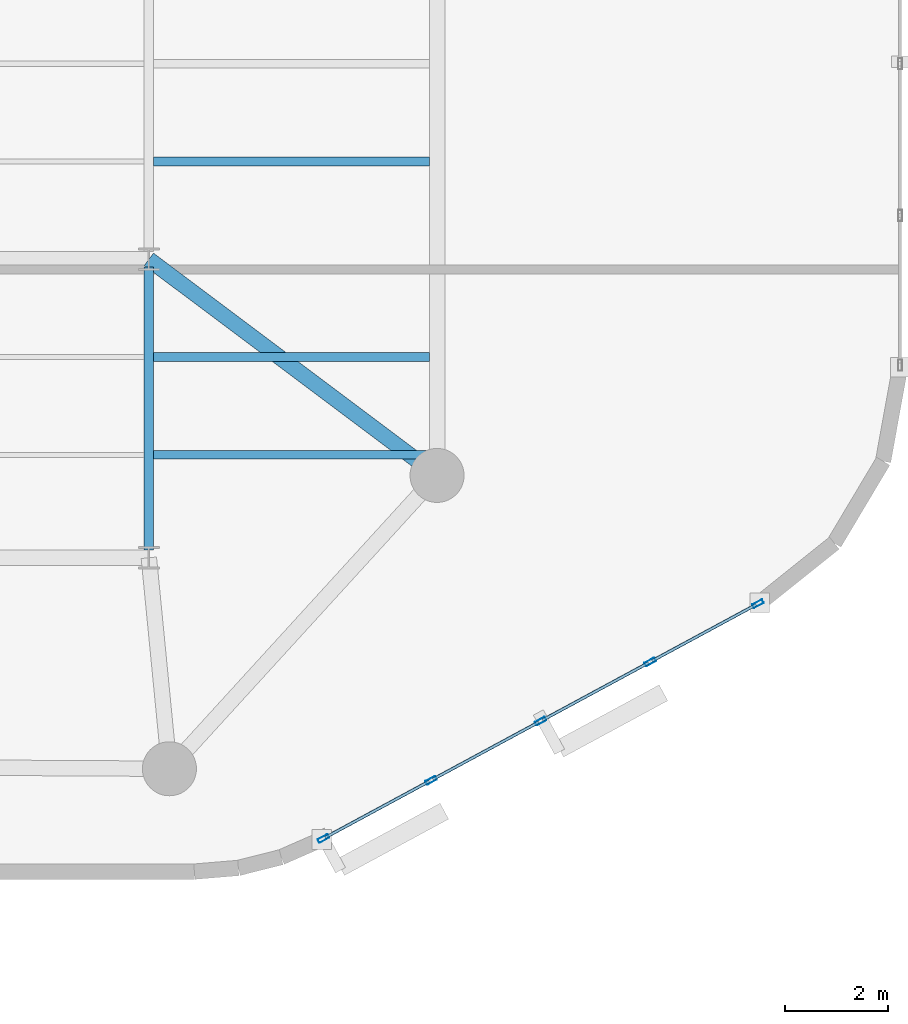
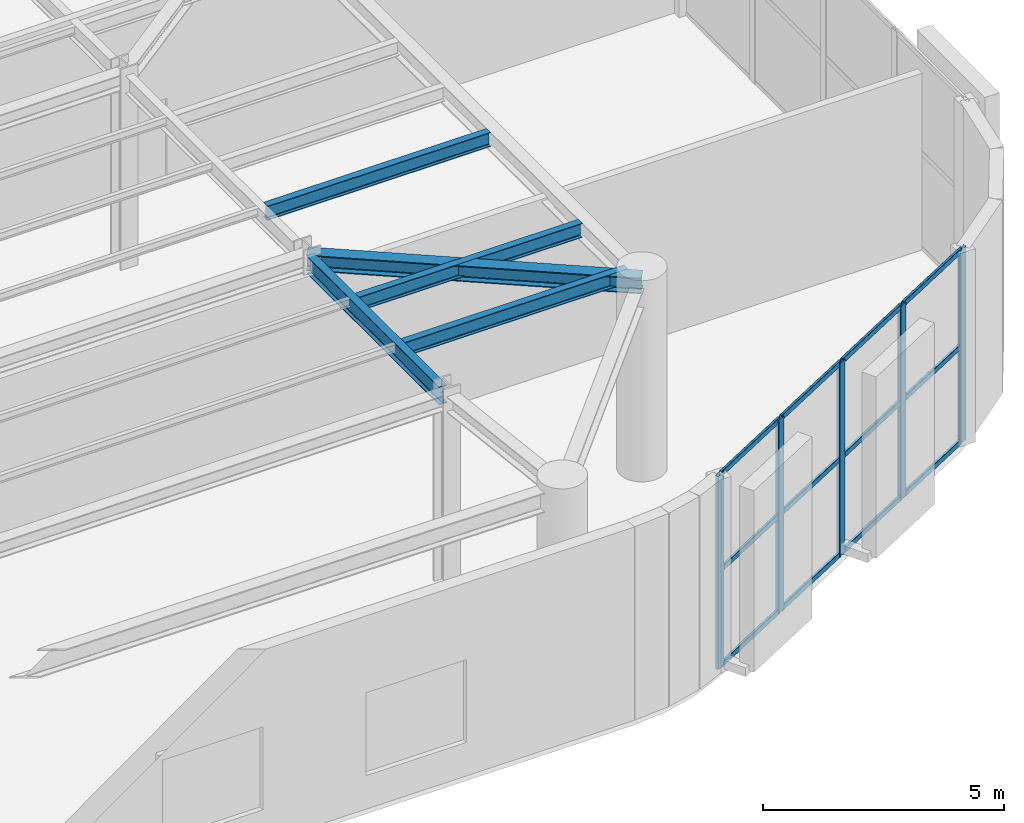
# One storey, part 2 of 11: 17 members, 5 beams, 1 element without a shape of its own.
"""IFC4 building model written with IfcOpenShell, lengths in metres."""

from ifc_helpers import new_model, si_unit, direction, frame, origin, origin_2d, place, context, subcontext, project, spatial, hollow_rectangle, i_section, extrude, material, layer, layer_set, material_profile, profile_set, type_object, element, aggregate, save


model = new_model("IFC4")

# Units and contexts
model_context = context("Model", 3, precision=1e-05, world=origin(), true_north=direction((0.0, 1.0)))
body_context = subcontext(model_context, "Body", "Model", "MODEL_VIEW")
ifc_project = project(units=[si_unit("LENGTHUNIT", "METRE"), si_unit("AREAUNIT", "SQUARE_METRE"), si_unit("VOLUMEUNIT", "CUBIC_METRE"), si_unit("PLANEANGLEUNIT", "RADIAN"), si_unit("MASSUNIT", "GRAM", prefix="KILO")], contexts=[model_context])

# Site, building, storey
site_placement = place(None, origin())
site = spatial("IfcSite", under=ifc_project, at=site_placement, CompositionType="ELEMENT")
building_placement = place(site_placement, origin())
building = spatial("IfcBuilding", under=site, at=building_placement, Name="An Khanh Terracotta Commons", CompositionType="ELEMENT")
storey_placement = place(building_placement, frame((0.0, 0.0, 196.199951171875)))
storey = spatial("IfcBuildingStorey", under=building, at=storey_placement, Name="L51", CompositionType="ELEMENT", Elevation=196.199951171875)

# Beams
ifc_material_1 = material(Name="Steel S355J2", Category="steel")
ifc_material_profile_1 = material_profile(ifc_material_1, i_section(OverallWidth=0.300048828125, OverallDepth=0.39990234375, WebThickness=0.013427734375, FlangeThickness=0.02392578125, FilletRadius=0.027099609375, at=origin_2d()), Name="HEB400")
ifc_profile_set_1 = profile_set([ifc_material_profile_1], Name="Steel S355J2")
beam_type_1 = type_object("IfcBeamType", Name="BM-HEB400", PredefinedType="BEAM", material=ifc_profile_set_1)
beam_1_placement = place(storey_placement, frame((59.60009765625, 16.0, 4.699951171875), z_axis=(-0.800008370399, 0.599988839305, 0.0), x_axis=(-0.599988839305, -0.800008370399, 0.0)))
element("IfcBeam", 1, at=beam_1_placement, inside=storey, type_object=beam_type_1, Name="L51 Mega-Column Tie Girder 3", PredefinedType="BEAM", context=body_context, shape_type="SweptSolid", body=[
    extrude(i_section(OverallWidth=0.300048828125, OverallDepth=0.39990234375, WebThickness=0.013427734375, FlangeThickness=0.02392578125, FilletRadius=0.027099609375, at=origin_2d()), origin(), (0.0, 0.0, 1.0), 7.0),
])
ifc_material_profile_2 = material_profile(ifc_material_1, i_section(OverallWidth=0.169921875, OverallDepth=0.360107421875, WebThickness=0.008056640625, FlangeThickness=0.0126953125, FilletRadius=0.01806640625, at=origin_2d()), Name="IPE360")
ifc_profile_set_2 = profile_set([ifc_material_profile_2], Name="Steel S355J2")
beam_type_2 = type_object("IfcBeamType", Name="BM-IPE360", PredefinedType="JOIST", material=ifc_profile_set_2)
for number, where, z_axis, x_axis, name in (
    (2, (54.094970703125, 16.39990234375, 4.719970703125), (1.0, 0.0, 0.0), (0.0, 1.0, 0.0), "L51 Riverfront Composite Joist 1"),
    (3, (54.094970703125, 18.300048828125, 4.719970703125), (1.0, 0.0, 0.0), (0.0, 1.0, 0.0), "L51 Riverfront Composite Joist 2"),
    (4, (54.094970703125, 22.10009765625, 4.719970703125), (1.0, 0.0, 0.0), (0.0, 1.0, 0.0), "L51 Riverfront Composite Joist 3"),
):
    element("IfcBeam", number, at=place(storey_placement, frame(where, z_axis=z_axis, x_axis=x_axis)), inside=storey, type_object=beam_type_2, Name=name, PredefinedType="JOIST", context=body_context, shape_type="SweptSolid", body=[
        extrude(i_section(OverallWidth=0.169921875, OverallDepth=0.360107421875, WebThickness=0.008056640625, FlangeThickness=0.0126953125, FilletRadius=0.01806640625, at=origin_2d()), origin(), (0.0, 0.0, 1.0), 5.35498046875),
    ])
ifc_material_profile_3 = material_profile(ifc_material_1, i_section(OverallWidth=0.18994140625, OverallDepth=0.449951171875, WebThickness=0.009521484375, FlangeThickness=0.0146484375, FilletRadius=0.02099609375, at=origin_2d()), Name="IPE450")
ifc_profile_set_3 = profile_set([ifc_material_profile_3], Name="Steel S355J2")
beam_type_3 = type_object("IfcBeamType", Name="BM-IPE450", PredefinedType="JOIST", material=ifc_profile_set_3)
beam_2_placement = place(storey_placement, frame((54.0, 14.550048828125, 4.675048828125), z_axis=(0.0, 1.0, 0.0), x_axis=(-1.0, 0.0, 0.0)))
element("IfcBeam", 5, at=beam_2_placement, inside=storey, type_object=beam_type_3, Name="L51 East Spine Girder 1", PredefinedType="JOIST", context=body_context, shape_type="SweptSolid", body=[
    extrude(i_section(OverallWidth=0.18994140625, OverallDepth=0.449951171875, WebThickness=0.009521484375, FlangeThickness=0.0146484375, FilletRadius=0.02099609375, at=origin_2d()), origin(), (0.0, 0.0, 1.0), 5.5),
])

# Curtain wall, members
ifc_material_2 = material(Name="Anodised Aluminium 6063-T6", Category="aluminium")
ifc_layer = layer(ifc_material_2, 0.239990234375, Name="Anodised Aluminium 6063-T6")
ifc_layer_set = layer_set([ifc_layer], Name="Anodised Aluminium 6063-T6")
curtain_wall_type = type_object("IfcCurtainWallType", Name="CW-SYS-04", PredefinedType="USERDEFINED", material=ifc_layer_set)
curtain_wall_placement = place(storey_placement, origin())
curtain_wall = element("IfcCurtainWall", 6, at=curtain_wall_placement, inside=storey, type_object=curtain_wall_type, Name="L51 CW-04 Unitised Curtain Wall CW-L51-08", ObjectType="UNITISED CURTAIN WALL", PredefinedType="USERDEFINED")
ifc_material_profile_4 = material_profile(ifc_material_2, hollow_rectangle(XDim=0.080078125, YDim=0.219970703125, WallThickness=0.0048828125, InnerFilletRadius=0.0048828125, OuterFilletRadius=0.010009765625, at=origin_2d()), Name="RHS220x80x5")
ifc_profile_set_4 = profile_set([ifc_material_profile_4], Name="Anodised Aluminium 6063-T6")
member_type_1 = type_object("IfcMemberType", Name="CWM-RHS220x80x5", PredefinedType="MULLION", material=ifc_profile_set_4)
member_1_placement = place(storey_placement, frame((57.39208984375, 8.944091796875, 0.0), z_axis=(0.0, 0.0, 1.0), x_axis=(-0.47538088298, 0.879780095306, 0.0)))
member_1 = element("IfcMember", 7, at=member_1_placement, type_object=member_type_1, Name="CW-04 mullion 1", PredefinedType="MULLION", context=body_context, shape_type="SweptSolid", body=[
    extrude(hollow_rectangle(XDim=0.080078125, YDim=0.219970703125, WallThickness=0.0048828125, InnerFilletRadius=0.0048828125, OuterFilletRadius=0.010009765625, at=origin_2d()), origin(), (0.0, 0.0, 1.0), 4.900146484375),
])
member_2_placement = place(storey_placement, frame((59.48583984375, 10.0751953125, 0.0), z_axis=(0.0, 0.0, 1.0), x_axis=(-0.47538088298, 0.879780095306, 0.0)))
member_2 = element("IfcMember", 8, at=member_2_placement, type_object=member_type_1, Name="CW-04 mullion 2", PredefinedType="MULLION", context=body_context, shape_type="SweptSolid", body=[
    extrude(hollow_rectangle(XDim=0.080078125, YDim=0.219970703125, WallThickness=0.0048828125, InnerFilletRadius=0.0048828125, OuterFilletRadius=0.010009765625, at=origin_2d()), origin(), (0.0, 0.0, 1.0), 4.900146484375),
])
member_3_placement = place(storey_placement, frame((61.614501953125, 11.2255859375, 0.0), z_axis=(0.0, 0.0, 1.0), x_axis=(-0.47538088298, 0.879780095306, 0.0)))
member_3 = element("IfcMember", 9, at=member_3_placement, type_object=member_type_1, Name="CW-04 mullion 3", PredefinedType="MULLION", context=body_context, shape_type="SweptSolid", body=[
    extrude(hollow_rectangle(XDim=0.080078125, YDim=0.219970703125, WallThickness=0.0048828125, InnerFilletRadius=0.0048828125, OuterFilletRadius=0.010009765625, at=origin_2d()), origin(), (0.0, 0.0, 1.0), 4.900146484375),
])
member_4_placement = place(storey_placement, frame((63.7431640625, 12.375732421875, 0.0), z_axis=(0.0, 0.0, 1.0), x_axis=(-0.47538088298, 0.879780095306, 0.0)))
member_4 = element("IfcMember", 10, at=member_4_placement, type_object=member_type_1, Name="CW-04 mullion 4", PredefinedType="MULLION", context=body_context, shape_type="SweptSolid", body=[
    extrude(hollow_rectangle(XDim=0.080078125, YDim=0.219970703125, WallThickness=0.0048828125, InnerFilletRadius=0.0048828125, OuterFilletRadius=0.010009765625, at=origin_2d()), origin(), (0.0, 0.0, 1.0), 4.900146484375),
])
member_5_placement = place(storey_placement, frame((65.8369140625, 13.507080078125, 0.0), z_axis=(0.0, 0.0, 1.0), x_axis=(-0.47538088298, 0.879780095306, 0.0)))
member_5 = element("IfcMember", 11, at=member_5_placement, type_object=member_type_1, Name="CW-04 mullion 5", PredefinedType="MULLION", context=body_context, shape_type="SweptSolid", body=[
    extrude(hollow_rectangle(XDim=0.080078125, YDim=0.219970703125, WallThickness=0.0048828125, InnerFilletRadius=0.0048828125, OuterFilletRadius=0.010009765625, at=origin_2d()), origin(), (0.0, 0.0, 1.0), 4.900146484375),
])
ifc_material_profile_5 = material_profile(ifc_material_2, hollow_rectangle(XDim=0.06005859375, YDim=0.135009765625, WallThickness=0.003662109375, InnerFilletRadius=0.003662109375, OuterFilletRadius=0.007080078125, at=origin_2d()), Name="RHS135x60x3.6")
ifc_profile_set_5 = profile_set([ifc_material_profile_5], Name="Anodised Aluminium 6063-T6")
member_type_2 = type_object("IfcMemberType", Name="CWT-RHS135x60x3.6", PredefinedType="USERDEFINED", material=ifc_profile_set_5)
member_6_placement = place(storey_placement, frame((57.427490234375, 8.963134765625, 0.030029296875), z_axis=(0.879791730028, 0.475359350149, 0.0), x_axis=(-0.475359350149, 0.879791730028, 0.0)))
member_6 = element("IfcMember", 12, at=member_6_placement, type_object=member_type_2, Name="CW-04 transom 1.1", ObjectType="TRANSOM", PredefinedType="USERDEFINED", context=body_context, shape_type="SweptSolid", body=[
    extrude(hollow_rectangle(XDim=0.06005859375, YDim=0.135009765625, WallThickness=0.003662109375, InnerFilletRadius=0.003662109375, OuterFilletRadius=0.007080078125, at=origin_2d()), origin(), (0.0, 0.0, 1.0), 2.29931640625),
])
member_7_placement = place(storey_placement, frame((57.427490234375, 8.963134765625, 2.449951171875), z_axis=(0.879791730028, 0.475359350149, 0.0), x_axis=(-0.475359350149, 0.879791730028, 0.0)))
member_7 = element("IfcMember", 13, at=member_7_placement, type_object=member_type_2, Name="CW-04 transom 1.2", ObjectType="TRANSOM", PredefinedType="USERDEFINED", context=body_context, shape_type="SweptSolid", body=[
    extrude(hollow_rectangle(XDim=0.06005859375, YDim=0.135009765625, WallThickness=0.003662109375, InnerFilletRadius=0.003662109375, OuterFilletRadius=0.007080078125, at=origin_2d()), origin(), (0.0, 0.0, 1.0), 2.29931640625),
])
member_8_placement = place(storey_placement, frame((57.427490234375, 8.963134765625, 4.8701171875), z_axis=(0.879791730028, 0.475359350149, 0.0), x_axis=(-0.475359350149, 0.879791730028, 0.0)))
member_8 = element("IfcMember", 14, at=member_8_placement, type_object=member_type_2, Name="CW-04 transom 1.3", ObjectType="TRANSOM", PredefinedType="USERDEFINED", context=body_context, shape_type="SweptSolid", body=[
    extrude(hollow_rectangle(XDim=0.06005859375, YDim=0.135009765625, WallThickness=0.003662109375, InnerFilletRadius=0.003662109375, OuterFilletRadius=0.007080078125, at=origin_2d()), origin(), (0.0, 0.0, 1.0), 2.29931640625),
])
member_9_placement = place(storey_placement, frame((59.52099609375, 10.09423828125, 0.030029296875), z_axis=(0.879763135188, 0.475412269472, 0.0), x_axis=(-0.475412269472, 0.879763135188, 0.0)))
member_9 = element("IfcMember", 15, at=member_9_placement, type_object=member_type_2, Name="CW-04 transom 2.1", ObjectType="TRANSOM", PredefinedType="USERDEFINED", context=body_context, shape_type="SweptSolid", body=[
    extrude(hollow_rectangle(XDim=0.06005859375, YDim=0.135009765625, WallThickness=0.003662109375, InnerFilletRadius=0.003662109375, OuterFilletRadius=0.007080078125, at=origin_2d()), origin(), (0.0, 0.0, 1.0), 2.339599609375),
])
member_10_placement = place(storey_placement, frame((59.52099609375, 10.09423828125, 2.449951171875), z_axis=(0.879763135188, 0.475412269472, 0.0), x_axis=(-0.475412269472, 0.879763135188, 0.0)))
member_10 = element("IfcMember", 16, at=member_10_placement, type_object=member_type_2, Name="CW-04 transom 2.2", ObjectType="TRANSOM", PredefinedType="USERDEFINED", context=body_context, shape_type="SweptSolid", body=[
    extrude(hollow_rectangle(XDim=0.06005859375, YDim=0.135009765625, WallThickness=0.003662109375, InnerFilletRadius=0.003662109375, OuterFilletRadius=0.007080078125, at=origin_2d()), origin(), (0.0, 0.0, 1.0), 2.339599609375),
])
member_11_placement = place(storey_placement, frame((59.52099609375, 10.09423828125, 4.8701171875), z_axis=(0.879763135188, 0.475412269472, 0.0), x_axis=(-0.475412269472, 0.879763135188, 0.0)))
member_11 = element("IfcMember", 17, at=member_11_placement, type_object=member_type_2, Name="CW-04 transom 2.3", ObjectType="TRANSOM", PredefinedType="USERDEFINED", context=body_context, shape_type="SweptSolid", body=[
    extrude(hollow_rectangle(XDim=0.06005859375, YDim=0.135009765625, WallThickness=0.003662109375, InnerFilletRadius=0.003662109375, OuterFilletRadius=0.007080078125, at=origin_2d()), origin(), (0.0, 0.0, 1.0), 2.339599609375),
])
member_12_placement = place(storey_placement, frame((61.649658203125, 11.24462890625, 0.030029296875), z_axis=(0.879806777471, 0.475331499393, 0.0), x_axis=(-0.475331499393, 0.879806777471, 0.0)))
member_12 = element("IfcMember", 18, at=member_12_placement, type_object=member_type_2, Name="CW-04 transom 3.1", ObjectType="TRANSOM", PredefinedType="USERDEFINED", context=body_context, shape_type="SweptSolid", body=[
    extrude(hollow_rectangle(XDim=0.06005859375, YDim=0.135009765625, WallThickness=0.003662109375, InnerFilletRadius=0.003662109375, OuterFilletRadius=0.007080078125, at=origin_2d()), origin(), (0.0, 0.0, 1.0), 2.339599609375),
])
member_13_placement = place(storey_placement, frame((61.649658203125, 11.24462890625, 2.449951171875), z_axis=(0.879806777471, 0.475331499393, 0.0), x_axis=(-0.475331499393, 0.879806777471, 0.0)))
member_13 = element("IfcMember", 19, at=member_13_placement, type_object=member_type_2, Name="CW-04 transom 3.2", ObjectType="TRANSOM", PredefinedType="USERDEFINED", context=body_context, shape_type="SweptSolid", body=[
    extrude(hollow_rectangle(XDim=0.06005859375, YDim=0.135009765625, WallThickness=0.003662109375, InnerFilletRadius=0.003662109375, OuterFilletRadius=0.007080078125, at=origin_2d()), origin(), (0.0, 0.0, 1.0), 2.339599609375),
])
member_14_placement = place(storey_placement, frame((61.649658203125, 11.24462890625, 4.8701171875), z_axis=(0.879806777471, 0.475331499393, 0.0), x_axis=(-0.475331499393, 0.879806777471, 0.0)))
member_14 = element("IfcMember", 20, at=member_14_placement, type_object=member_type_2, Name="CW-04 transom 3.3", ObjectType="TRANSOM", PredefinedType="USERDEFINED", context=body_context, shape_type="SweptSolid", body=[
    extrude(hollow_rectangle(XDim=0.06005859375, YDim=0.135009765625, WallThickness=0.003662109375, InnerFilletRadius=0.003662109375, OuterFilletRadius=0.007080078125, at=origin_2d()), origin(), (0.0, 0.0, 1.0), 2.339599609375),
])
member_15_placement = place(storey_placement, frame((63.7783203125, 12.394775390625, 0.030029296875), z_axis=(0.879771319339, 0.47539712417, 0.0), x_axis=(-0.47539712417, 0.879771319339, 0.0)))
member_15 = element("IfcMember", 21, at=member_15_placement, type_object=member_type_2, Name="CW-04 transom 4.1", ObjectType="TRANSOM", PredefinedType="USERDEFINED", context=body_context, shape_type="SweptSolid", body=[
    extrude(hollow_rectangle(XDim=0.06005859375, YDim=0.135009765625, WallThickness=0.003662109375, InnerFilletRadius=0.003662109375, OuterFilletRadius=0.007080078125, at=origin_2d()), origin(), (0.0, 0.0, 1.0), 2.299560546875),
])
member_16_placement = place(storey_placement, frame((63.7783203125, 12.394775390625, 2.449951171875), z_axis=(0.879771319339, 0.47539712417, 0.0), x_axis=(-0.47539712417, 0.879771319339, 0.0)))
member_16 = element("IfcMember", 22, at=member_16_placement, type_object=member_type_2, Name="CW-04 transom 4.2", ObjectType="TRANSOM", PredefinedType="USERDEFINED", context=body_context, shape_type="SweptSolid", body=[
    extrude(hollow_rectangle(XDim=0.06005859375, YDim=0.135009765625, WallThickness=0.003662109375, InnerFilletRadius=0.003662109375, OuterFilletRadius=0.007080078125, at=origin_2d()), origin(), (0.0, 0.0, 1.0), 2.299560546875),
])
member_17_placement = place(storey_placement, frame((63.7783203125, 12.394775390625, 4.8701171875), z_axis=(0.879771319339, 0.47539712417, 0.0), x_axis=(-0.47539712417, 0.879771319339, 0.0)))
member_17 = element("IfcMember", 23, at=member_17_placement, type_object=member_type_2, Name="CW-04 transom 4.3", ObjectType="TRANSOM", PredefinedType="USERDEFINED", context=body_context, shape_type="SweptSolid", body=[
    extrude(hollow_rectangle(XDim=0.06005859375, YDim=0.135009765625, WallThickness=0.003662109375, InnerFilletRadius=0.003662109375, OuterFilletRadius=0.007080078125, at=origin_2d()), origin(), (0.0, 0.0, 1.0), 2.299560546875),
])
aggregate(curtain_wall, [member_1, member_2, member_3, member_4, member_5, member_6, member_7, member_8, member_9, member_10, member_11, member_12, member_13, member_14, member_15, member_16, member_17])

save(model, "model.ifc")
